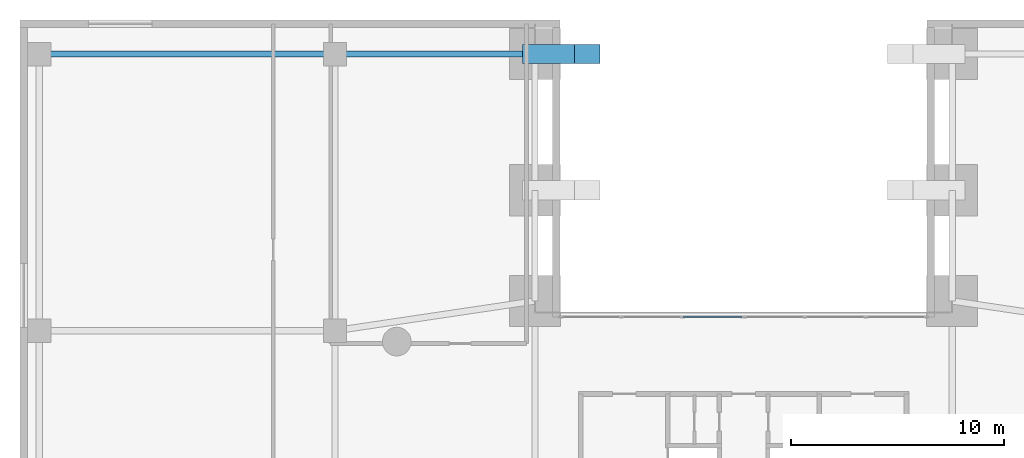
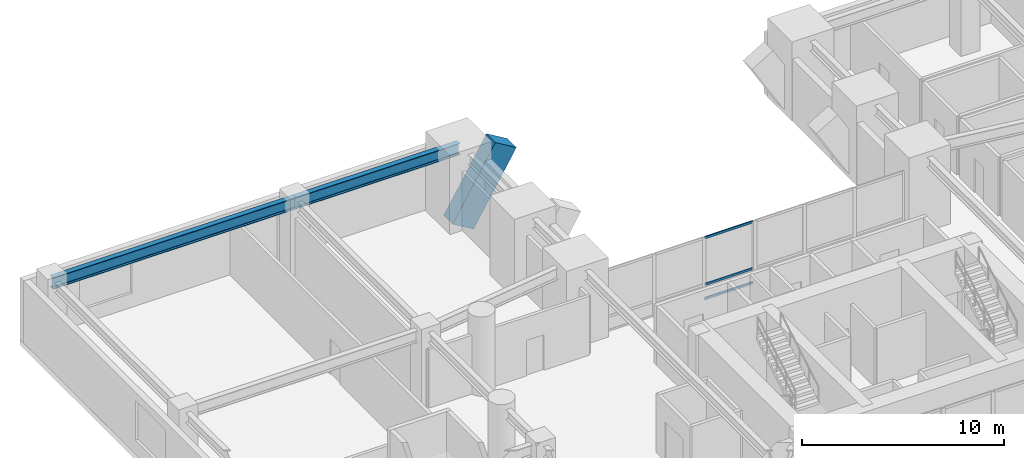
# One storey, part 7 of 14: 3 beams, 3 members, 1 element without a shape of its own.
"""IFC4 building model written with IfcOpenShell, lengths in metres."""

from ifc_helpers import new_model, si_unit, direction, frame, origin, origin_2d, place, context, subcontext, project, spatial, rectangle, hollow_rectangle, i_section, extrude, material, layer, layer_set, material_profile, profile_set, type_object, element, aggregate, save


model = new_model("IFC4")

# Units and contexts
model_context = context("Model", 3, precision=1e-05, world=origin(), true_north=direction((0.0, 1.0)))
body_context = subcontext(model_context, "Body", "Model", "MODEL_VIEW")
ifc_project = project(units=[si_unit("LENGTHUNIT", "METRE"), si_unit("AREAUNIT", "SQUARE_METRE"), si_unit("VOLUMEUNIT", "CUBIC_METRE"), si_unit("PLANEANGLEUNIT", "RADIAN"), si_unit("MASSUNIT", "GRAM", prefix="KILO"), si_unit("THERMODYNAMICTEMPERATUREUNIT", "KELVIN"), si_unit("POWERUNIT", "WATT")], contexts=[model_context])

# Site, building, storey
site_placement = place(None, origin())
site = spatial("IfcSite", under=ifc_project, at=site_placement, CompositionType="ELEMENT")
building_placement = place(site_placement, origin())
building = spatial("IfcBuilding", under=site, at=building_placement, Name="Ocrelia Relay Tower", CompositionType="ELEMENT")
storey_placement = place(building_placement, frame((0.0, 0.0, 5.39990234375)))
storey = spatial("IfcBuildingStorey", under=building, at=storey_placement, Name="L01", CompositionType="ELEMENT", Elevation=5.39990234375)

# Beams
ifc_material_1 = material(Name="Concrete C70/85", Category="concrete")
ifc_material_profile_1 = material_profile(ifc_material_1, rectangle(XDim=0.89990234375, YDim=1.39990234375, at=origin_2d()), Name="RC-BM-900x1400")
ifc_profile_set_1 = profile_set([ifc_material_profile_1], Name="Concrete C70/85")
beam_type_1 = type_object("IfcBeamType", Name="BM-ARCH-RIB", PredefinedType="USERDEFINED", material=ifc_profile_set_1)
beam_1_placement = place(storey_placement, frame((24.199951171875, 50.39990234375, -0.39990234375), z_axis=(0.513614846674, 0.0, 0.858020855968), x_axis=(0.0, 1.0, 0.0)))
element("IfcBeam", 1, at=beam_1_placement, inside=storey, type_object=beam_type_1, Name="Monumental Portal Arch Rib N1 Seg 1", ObjectType="PORTAL ARCH", PredefinedType="USERDEFINED", context=body_context, shape_type="SweptSolid", body=[
    extrude(rectangle(XDim=0.89990234375, YDim=1.39990234375, at=origin_2d()), origin(), (0.0, 0.0, 1.0), 4.77001953125),
])
ifc_material_2 = material(Name="Steel S355", Category="steel")
ifc_material_profile_2 = material_profile(ifc_material_2, i_section(OverallWidth=0.300048828125, OverallDepth=0.699951171875, WebThickness=0.01708984375, FlangeThickness=0.031982421875, FilletRadius=0.027099609375, at=origin_2d()), Name="HEB 700")
ifc_profile_set_2 = profile_set([ifc_material_profile_2], Name="Steel S355")
beam_type_2 = type_object("IfcBeamType", Name="BM-HEB700", PredefinedType="BEAM", material=ifc_profile_set_2)
beam_2_placement = place(storey_placement, frame((0.89990234375, 50.39990234375, 4.130126953125), z_axis=(1.0, 0.0, 0.0), x_axis=(0.0, 1.0, 0.0)))
element("IfcBeam", 2, at=beam_2_placement, inside=storey, type_object=beam_type_2, Name="L01 West Outer Podium Girder N", PredefinedType="BEAM", context=body_context, shape_type="SweptSolid", body=[
    extrude(i_section(OverallWidth=0.300048828125, OverallDepth=0.699951171875, WebThickness=0.01708984375, FlangeThickness=0.031982421875, FilletRadius=0.027099609375, at=origin_2d()), origin(), (0.0, 0.0, 1.0), 13.900146484375),
])
beam_3_placement = place(storey_placement, frame((14.800048828125, 50.39990234375, 4.130126953125), z_axis=(1.0, 0.0, 0.0), x_axis=(0.0, 1.0, 0.0)))
element("IfcBeam", 3, at=beam_3_placement, inside=storey, type_object=beam_type_2, Name="L01 West Inner Podium Girder N", PredefinedType="BEAM", context=body_context, shape_type="SweptSolid", body=[
    extrude(i_section(OverallWidth=0.300048828125, OverallDepth=0.699951171875, WebThickness=0.01708984375, FlangeThickness=0.031982421875, FilletRadius=0.027099609375, at=origin_2d()), origin(), (0.0, 0.0, 1.0), 9.39990234375),
])

# Curtain wall, members
ifc_material_3 = material(Name="Aluminium and solar-control low-E glass", Category="aluminium")
ifc_layer = layer(ifc_material_3, 0.179931640625, Name="Aluminium and solar-control low-E glass")
ifc_layer_set = layer_set([ifc_layer], Name="Aluminium and solar-control low-E glass")
curtain_wall_type = type_object("IfcCurtainWallType", Name="CW-SYS-POD-ARCH", PredefinedType="NOTDEFINED", material=ifc_layer_set)
curtain_wall_placement = place(storey_placement, origin())
curtain_wall = element("IfcCurtainWall", 4, at=curtain_wall_placement, inside=storey, type_object=curtain_wall_type, Name="L01 North Portal Concourse Glazed Screen West", PredefinedType="NOTDEFINED")
ifc_material_4 = material(Name="Anodised bronze aluminium", Category="aluminium")
ifc_material_profile_3 = material_profile(ifc_material_4, hollow_rectangle(XDim=0.06494140625, YDim=0.139892578125, WallThickness=0.0048828125, at=origin_2d()), Name="CW-TRN-140x65")
ifc_profile_set_3 = profile_set([ifc_material_profile_3], Name="Anodised bronze aluminium")
member_type = type_object("IfcMemberType", Name="CW-SYS-POD-ARCH-TRN", PredefinedType="USERDEFINED", material=ifc_profile_set_3)
member_1_placement = place(storey_placement, frame((31.1640625, 38.050048828125, 0.03271484375), z_axis=(1.0, 0.0, 0.0), x_axis=(0.0, 1.0, 0.0)))
member_1 = element("IfcMember", 5, at=member_1_placement, type_object=member_type, Name="CW-PA transom 3.1", ObjectType="TRANSOM", PredefinedType="USERDEFINED", context=body_context, shape_type="SweptSolid", body=[
    extrude(hollow_rectangle(XDim=0.06494140625, YDim=0.139892578125, WallThickness=0.0048828125, at=origin_2d()), origin(), (0.0, 0.0, 1.0), 2.760986328125),
])
member_2_placement = place(storey_placement, frame((31.1640625, 38.050048828125, 0.900146484375), z_axis=(1.0, 0.0, 0.0), x_axis=(0.0, 1.0, 0.0)))
member_2 = element("IfcMember", 6, at=member_2_placement, type_object=member_type, Name="CW-PA transom 3.2", ObjectType="TRANSOM", PredefinedType="USERDEFINED", context=body_context, shape_type="SweptSolid", body=[
    extrude(hollow_rectangle(XDim=0.06494140625, YDim=0.139892578125, WallThickness=0.0048828125, at=origin_2d()), origin(), (0.0, 0.0, 1.0), 2.760986328125),
])
member_3_placement = place(storey_placement, frame((31.1640625, 38.050048828125, 3.7275390625), z_axis=(1.0, 0.0, 0.0), x_axis=(0.0, 1.0, 0.0)))
member_3 = element("IfcMember", 7, at=member_3_placement, type_object=member_type, Name="CW-PA transom 3.3", ObjectType="TRANSOM", PredefinedType="USERDEFINED", context=body_context, shape_type="SweptSolid", body=[
    extrude(hollow_rectangle(XDim=0.06494140625, YDim=0.139892578125, WallThickness=0.0048828125, at=origin_2d()), origin(), (0.0, 0.0, 1.0), 2.760986328125),
])
aggregate(curtain_wall, [member_1, member_2, member_3])

save(model, "model.ifc")
